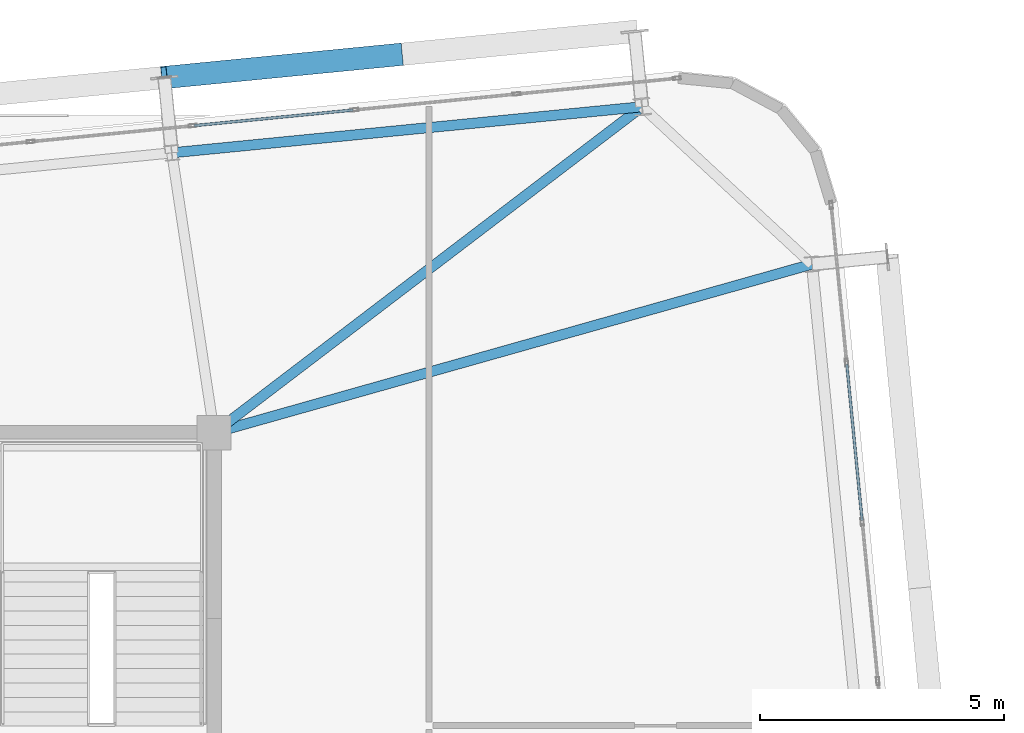
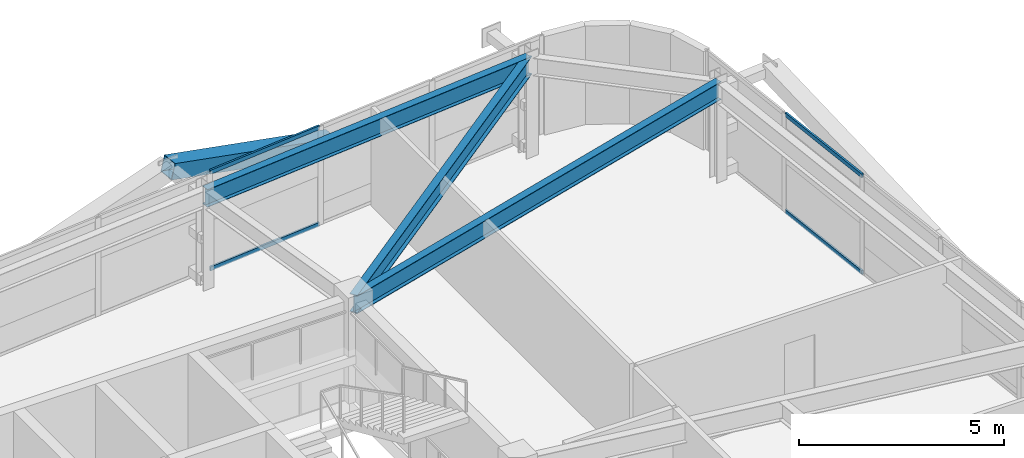
# One storey, part 31 of 51: 5 members, 3 beams, 2 elements without a shape of their own.
"""IFC4 building model written with IfcOpenShell, lengths in metres."""

from ifc_helpers import new_model, si_unit, direction, frame, origin, origin_2d, place, context, subcontext, project, spatial, hollow_rectangle, i_section, extrude, source, transform, mapped, material, layer, layer_set, material_profile, profile_set, type_object, element, aggregate, save


model = new_model("IFC4")

# Units and contexts
model_context = context("Model", 3, precision=1e-05, world=origin(), true_north=direction((0.0, 1.0)))
body_context = subcontext(model_context, "Body", "Model", "MODEL_VIEW")
ifc_project = project(units=[si_unit("LENGTHUNIT", "METRE"), si_unit("AREAUNIT", "SQUARE_METRE"), si_unit("VOLUMEUNIT", "CUBIC_METRE"), si_unit("PLANEANGLEUNIT", "RADIAN"), si_unit("MASSUNIT", "GRAM", prefix="KILO")], contexts=[model_context])

# Site, building, storey
site_placement = place(None, origin())
site = spatial("IfcSite", under=ifc_project, at=site_placement, CompositionType="ELEMENT")
building_placement = place(site_placement, origin())
building = spatial("IfcBuilding", under=site, at=building_placement, Name="Taldren Reach Tower", CompositionType="ELEMENT")
storey_placement = place(building_placement, frame((0.0, 0.0, 65.10009765625)))
storey = spatial("IfcBuildingStorey", under=building, at=storey_placement, Name="L19", CompositionType="ELEMENT", Elevation=65.10009765625)

# Beams
ifc_material_1 = material(Name="Steel Gr 350 (350PLUS)", Category="steel")
ifc_material_profile_1 = material_profile(ifc_material_1, i_section(OverallWidth=0.208984375, OverallDepth=0.528076171875, WebThickness=0.009521484375, FlangeThickness=0.01318359375, at=origin_2d()), Name="530UB82.0")
ifc_profile_set_1 = profile_set([ifc_material_profile_1], Name="Steel Gr 350 (350PLUS)")
beam_type_1 = type_object("IfcBeamType", Name="SP-UB530B", PredefinedType="SPANDREL", material=ifc_profile_set_1)
shared_shape_1 = source(origin(), body_context, "Body", "SweptSolid", [
    extrude(i_section(OverallWidth=0.208984375, OverallDepth=0.528076171875, WebThickness=0.009521484375, FlangeThickness=0.01318359375, at=origin_2d()), origin(), (0.0, 0.0, 1.0), 9.679931640625),
])
beam_1_placement = place(storey_placement, frame((59.765869140625, 38.679931640625, 2.666015625), z_axis=(-0.995227612658, -0.097580730699, 0.0), x_axis=(0.097580730699, -0.995227612658, 0.0)))
element("IfcBeam", 1, at=beam_1_placement, inside=storey, type_object=beam_type_1, Name="Perimeter spandrel B2 N6-N5 L19", PredefinedType="SPANDREL", context=body_context, shape_type="MappedRepresentation", body=[
    mapped(shared_shape_1, transform((0.0, 0.0, 0.0), scale=1.0)),
])
ifc_material_profile_2 = material_profile(ifc_material_1, i_section(OverallWidth=0.208984375, OverallDepth=0.532958984375, WebThickness=0.01025390625, FlangeThickness=0.015625, at=origin_2d()), Name="530UB92.4")
ifc_profile_set_2 = profile_set([ifc_material_profile_2], Name="Steel Gr 350 (350PLUS)")
beam_type_2 = type_object("IfcBeamType", Name="BM-UB530A", PredefinedType="BEAM", material=ifc_profile_set_2)
shared_shape_2 = source(origin(), body_context, "Body", "SweptSolid", [
    extrude(i_section(OverallWidth=0.208984375, OverallDepth=0.532958984375, WebThickness=0.01025390625, FlangeThickness=0.015625, at=origin_2d()), origin(), (0.0, 0.0, 1.0), 12.72509765625),
])
beam_2_placement = place(storey_placement, frame((51.0, 32.0, 2.663330078125), z_axis=(0.962450190096, 0.271458342264, 0.0), x_axis=(-0.271458342264, 0.962450190096, 0.0)))
element("IfcBeam", 2, at=beam_2_placement, inside=storey, type_object=beam_type_2, Name="Primary floor girder B2-E3 L19", PredefinedType="BEAM", context=body_context, shape_type="MappedRepresentation", body=[
    mapped(shared_shape_2, transform((0.0, 0.0, 0.0), scale=1.0)),
])
shared_shape_3 = source(origin(), body_context, "Body", "SweptSolid", [
    extrude(i_section(OverallWidth=0.208984375, OverallDepth=0.532958984375, WebThickness=0.01025390625, FlangeThickness=0.015625, at=origin_2d()), origin(), (0.0, 0.0, 1.0), 11.02099609375),
])
beam_3_placement = place(storey_placement, frame((51.0, 32.0, 2.663330078125), z_axis=(0.795380356763, 0.606110623629, 0.0), x_axis=(-0.606110623629, 0.795380356763, 0.0)))
element("IfcBeam", 3, at=beam_3_placement, inside=storey, type_object=beam_type_2, Name="Primary floor girder B2-N6 L19", PredefinedType="BEAM", context=body_context, shape_type="MappedRepresentation", body=[
    mapped(shared_shape_3, transform((0.0, 0.0, 0.0), scale=1.0)),
])

# Member
ifc_material_2 = material(Name="Steel Gr 450 (C450L0)", Category="steel")
ifc_material_profile_3 = material_profile(ifc_material_2, hollow_rectangle(XDim=0.4599609375, YDim=0.4599609375, WallThickness=0.01611328125, at=origin_2d()), Name="460x460x16.0SHS")
ifc_profile_set_3 = profile_set([ifc_material_profile_3], Name="Steel Gr 450 (C450L0)")
member_type_1 = type_object("IfcMemberType", Name="MB-EXO457", PredefinedType="BRACE", material=ifc_profile_set_3)
shared_shape_4 = source(origin(), body_context, "Body", "SweptSolid", [
    extrude(hollow_rectangle(XDim=0.4599609375, YDim=0.4599609375, WallThickness=0.01611328125, at=origin_2d()), origin(), (0.0, 0.0, 1.0), 4.990234375),
])
member_1_placement = place(storey_placement, frame((54.797607421875, 39.750244140625, 1.434814453125), z_axis=(-0.965271056716, -0.094667992638, 0.243494883389), x_axis=(0.097605711627, -0.995225162995, 0.0)))
element("IfcMember", 4, at=member_1_placement, inside=storey, type_object=member_type_1, Name="Exoskeleton Diagrid Brace B2-N5 L19", PredefinedType="BRACE", context=body_context, shape_type="MappedRepresentation", body=[
    mapped(shared_shape_4, transform((0.0, 0.0, 0.0), scale=1.0)),
])

# Curtain wall, members
ifc_material_3 = material(Name="Aluminium and Low-E Glass Unitised System", Category="aluminium")
ifc_layer = layer(ifc_material_3, 0.159912109375)
ifc_layer_set = layer_set([ifc_layer], Name="Aluminium and Low-E Glass Unitised System")
curtain_wall_type = type_object("IfcCurtainWallType", Name="CW-SYS-3", PredefinedType="NOTDEFINED", material=ifc_layer_set)
curtain_wall_1_placement = place(storey_placement, origin())
curtain_wall_1 = element("IfcCurtainWall", 5, at=curtain_wall_1_placement, inside=storey, type_object=curtain_wall_type, Name="Unitised curtain wall CW-L19-N", PredefinedType="NOTDEFINED")
ifc_material_4 = material(Name="Anodised Aluminium 6063-T6", Category="aluminium")
ifc_material_profile_4 = material_profile(ifc_material_4, hollow_rectangle(XDim=0.054931640625, YDim=0.1201171875, WallThickness=0.0029296875, at=origin_2d()), Name="ALU-120x55x3RHS")
ifc_profile_set_4 = profile_set([ifc_material_profile_4], Name="Anodised Aluminium 6063-T6")
member_type_2 = type_object("IfcMemberType", Name="CW-TRN-135", PredefinedType="USERDEFINED", material=ifc_profile_set_4)
shared_shape_5 = source(origin(), body_context, "Body", "SweptSolid", [
    extrude(hollow_rectangle(XDim=0.054931640625, YDim=0.1201171875, WallThickness=0.0029296875, at=origin_2d()), origin(), (0.0, 0.0, 1.0), 3.268310546875),
])
member_2_placement = place(storey_placement, frame((53.844970703125, 38.61181640625, 0.02734375), z_axis=(-0.99522980512, -0.097558367146, 0.0), x_axis=(0.097558367146, -0.99522980512, 0.0)))
member_2 = element("IfcMember", 6, at=member_2_placement, type_object=member_type_2, Name="CW-3 transom 3.1", ObjectType="TRANSOM", PredefinedType="USERDEFINED", context=body_context, shape_type="MappedRepresentation", body=[
    mapped(shared_shape_5, transform((0.0, 0.0, 0.0), scale=1.0)),
])
member_3_placement = place(storey_placement, frame((53.844970703125, 38.61181640625, 2.90234375), z_axis=(-0.99522980512, -0.097558367146, 0.0), x_axis=(0.097558367146, -0.99522980512, 0.0)))
member_3 = element("IfcMember", 7, at=member_3_placement, type_object=member_type_2, Name="CW-3 transom 3.2", ObjectType="TRANSOM", PredefinedType="USERDEFINED", context=body_context, shape_type="MappedRepresentation", body=[
    mapped(shared_shape_5, transform((0.0, 0.0, 0.0), scale=1.0)),
])
aggregate(curtain_wall_1, [member_2, member_3])

curtain_wall_2_placement = place(storey_placement, origin())
curtain_wall_2 = element("IfcCurtainWall", 8, at=curtain_wall_2_placement, inside=storey, type_object=curtain_wall_type, Name="Unitised curtain wall CW-L19-E", PredefinedType="NOTDEFINED")
shared_shape_6 = source(origin(), body_context, "Body", "SweptSolid", [
    extrude(hollow_rectangle(XDim=0.054931640625, YDim=0.1201171875, WallThickness=0.0029296875, at=origin_2d()), origin(), (0.0, 0.0, 1.0), 3.212890625),
])
member_4_placement = place(storey_placement, frame((64.274169921875, 30.206298828125, 0.02734375), z_axis=(-0.097569948235, 0.995228669805, 0.0), x_axis=(-0.995228669805, -0.097569948235, 0.0)))
member_4 = element("IfcMember", 9, at=member_4_placement, type_object=member_type_2, Name="CW-3 transom 8.1", ObjectType="TRANSOM", PredefinedType="USERDEFINED", context=body_context, shape_type="MappedRepresentation", body=[
    mapped(shared_shape_6, transform((0.0, 0.0, 0.0), scale=1.0)),
])
member_5_placement = place(storey_placement, frame((64.274169921875, 30.206298828125, 2.90234375), z_axis=(-0.097569948235, 0.995228669805, 0.0), x_axis=(-0.995228669805, -0.097569948235, 0.0)))
member_5 = element("IfcMember", 10, at=member_5_placement, type_object=member_type_2, Name="CW-3 transom 8.2", ObjectType="TRANSOM", PredefinedType="USERDEFINED", context=body_context, shape_type="MappedRepresentation", body=[
    mapped(shared_shape_6, transform((0.0, 0.0, 0.0), scale=1.0)),
])
aggregate(curtain_wall_2, [member_4, member_5])

save(model, "model.ifc")
